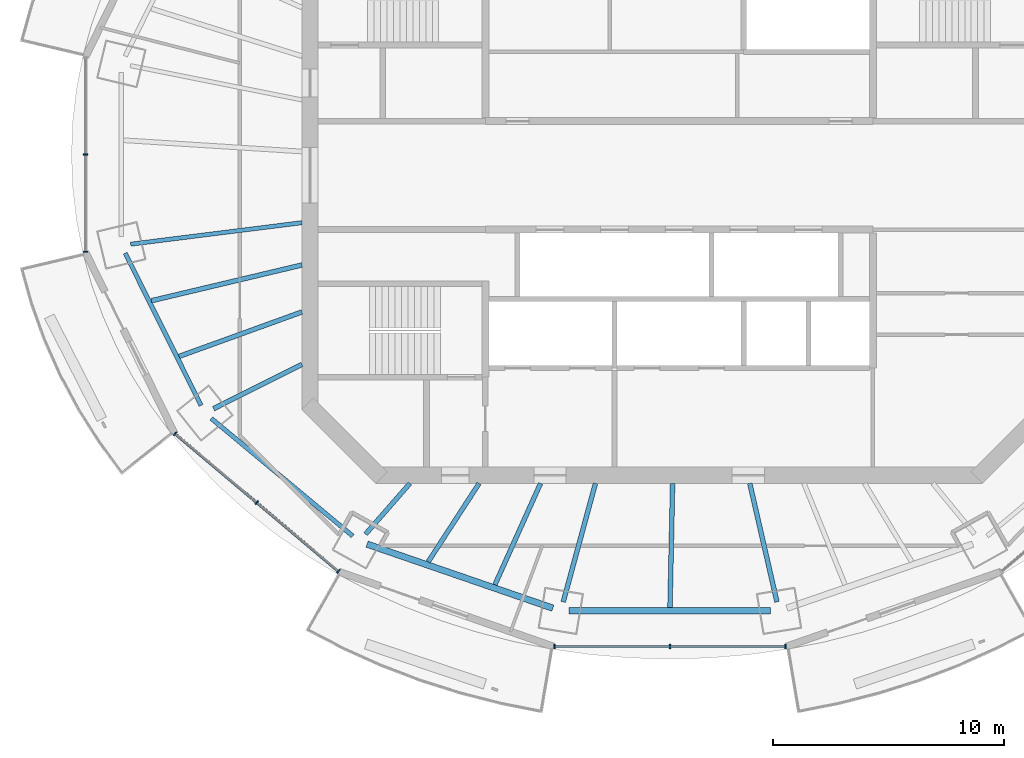
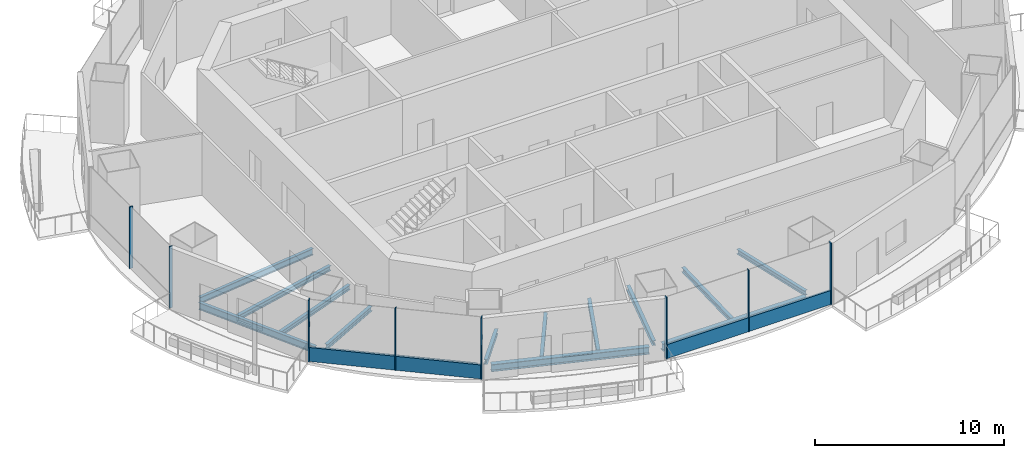
# One storey, part 2 of 16: 14 beams, 10 members, 3 elements without a shape of their own.
"""IFC4 building model written with IfcOpenShell, lengths in metres."""

from ifc_helpers import new_model, si_unit, direction, frame, origin, origin_2d, place, context, subcontext, project, spatial, rectangle, i_section, extrude, material, material_profile, profile_set, type_object, element, aggregate, save


model = new_model("IFC4")

# Units and contexts
model_context = context("Model", 3, precision=1e-05, world=origin(), true_north=direction((0.0, 1.0)))
body_context = subcontext(model_context, "Body", "Model", "MODEL_VIEW")
ifc_project = project(units=[si_unit("LENGTHUNIT", "METRE"), si_unit("AREAUNIT", "SQUARE_METRE"), si_unit("VOLUMEUNIT", "CUBIC_METRE"), si_unit("PLANEANGLEUNIT", "RADIAN"), si_unit("MASSUNIT", "GRAM", prefix="KILO")], contexts=[model_context])

# Site, building, storey
site_placement = place(None, origin())
site = spatial("IfcSite", under=ifc_project, at=site_placement, CompositionType="ELEMENT")
building_placement = place(site_placement, origin())
building = spatial("IfcBuilding", under=site, at=building_placement, Name="Marenthal Gate Tower", CompositionType="ELEMENT")
storey_placement = place(building_placement, frame((0.0, 0.0, 375.800048828125)))
storey = spatial("IfcBuildingStorey", under=building, at=storey_placement, Name="L85", CompositionType="ELEMENT", Elevation=375.800048828125)

# Curtain wall, members
ifc_material_1 = material(Name="Aluminium and glass", Category="aluminium")
curtain_wall_type = type_object("IfcCurtainWallType", Name="Curtain wall typical high", PredefinedType="NOTDEFINED", material=ifc_material_1)
curtain_wall_1_placement = place(storey_placement, origin())
curtain_wall_1 = element("IfcCurtainWall", 1, at=curtain_wall_1_placement, inside=storey, type_object=curtain_wall_type, Name="Curtain wall L85 bay 8", PredefinedType="NOTDEFINED")
ifc_material_2 = material(Name="Aluminium", Category="aluminium")
ifc_material_profile_1 = material_profile(ifc_material_2, rectangle(XDim=0.199951171875, YDim=0.06005859375, at=origin_2d()), Name="60x200 aluminium mullion")
ifc_profile_set_1 = profile_set([ifc_material_profile_1], Name="Aluminium")
member_type_1 = type_object("IfcMemberType", Name="Mullion 60x200 typical high", PredefinedType="MULLION", material=ifc_profile_set_1)
member_1_placement = place(storey_placement, frame((-25.725830078125, 0.89990234375, 0.0), z_axis=(0.0, 0.0, 1.0), x_axis=(1.0, 0.0, 0.0)))
member_1 = element("IfcMember", 2, at=member_1_placement, type_object=member_type_1, Name="Mullion L85 bay 8.2", PredefinedType="MULLION", context=body_context, shape_type="SweptSolid", body=[
    extrude(rectangle(XDim=0.199951171875, YDim=0.06005859375, at=origin_2d()), origin(), (0.0, 0.0, 1.0), 3.969970703125),
])
member_2_placement = place(storey_placement, frame((-25.725830078125, -3.312255859375, 0.0), z_axis=(0.0, 0.0, 1.0), x_axis=(1.0, 0.0, 0.0)))
member_2 = element("IfcMember", 3, at=member_2_placement, type_object=member_type_1, Name="Mullion L85 bay 8.3", PredefinedType="MULLION", context=body_context, shape_type="SweptSolid", body=[
    extrude(rectangle(XDim=0.199951171875, YDim=0.06005859375, at=origin_2d()), origin(), (0.0, 0.0, 1.0), 3.969970703125),
])
aggregate(curtain_wall_1, [member_1, member_2])

curtain_wall_2_placement = place(storey_placement, origin())
curtain_wall_2 = element("IfcCurtainWall", 4, at=curtain_wall_2_placement, inside=storey, type_object=curtain_wall_type, Name="Curtain wall L85 bay 10", PredefinedType="NOTDEFINED")
member_3_placement = place(storey_placement, frame((-21.84716796875, -11.2001953125, 0.0), z_axis=(0.0, 0.0, 1.0), x_axis=(0.64413508453, 0.764911754961, 0.0)))
member_3 = element("IfcMember", 5, at=member_3_placement, type_object=member_type_1, Name="Mullion L85 bay 10.1", PredefinedType="MULLION", context=body_context, shape_type="SweptSolid", body=[
    extrude(rectangle(XDim=0.199951171875, YDim=0.06005859375, at=origin_2d()), origin(), (0.0, 0.0, 1.0), 3.969970703125),
])
member_4_placement = place(storey_placement, frame((-18.30810546875, -14.1806640625, 0.0), z_axis=(0.0, 0.0, 1.0), x_axis=(0.64413508453, 0.764911754961, 0.0)))
member_4 = element("IfcMember", 6, at=member_4_placement, type_object=member_type_1, Name="Mullion L85 bay 10.2", PredefinedType="MULLION", context=body_context, shape_type="SweptSolid", body=[
    extrude(rectangle(XDim=0.199951171875, YDim=0.06005859375, at=origin_2d()), origin(), (0.0, 0.0, 1.0), 3.969970703125),
])
member_5_placement = place(storey_placement, frame((-14.768798828125, -17.160888671875, 0.0), z_axis=(0.0, 0.0, 1.0), x_axis=(0.64413508453, 0.764911754961, 0.0)))
member_5 = element("IfcMember", 7, at=member_5_placement, type_object=member_type_1, Name="Mullion L85 bay 10.3", PredefinedType="MULLION", context=body_context, shape_type="SweptSolid", body=[
    extrude(rectangle(XDim=0.199951171875, YDim=0.06005859375, at=origin_2d()), origin(), (0.0, 0.0, 1.0), 3.969970703125),
])

curtain_wall_3_placement = place(storey_placement, origin())
curtain_wall_3 = element("IfcCurtainWall", 8, at=curtain_wall_3_placement, inside=storey, type_object=curtain_wall_type, Name="Curtain wall L85 bay 12", PredefinedType="NOTDEFINED")
member_6_placement = place(storey_placement, frame((-5.40771484375, -20.42724609375, 0.0), z_axis=(0.0, 0.0, 1.0), x_axis=(0.0, 1.0, 0.0)))
member_6 = element("IfcMember", 9, at=member_6_placement, type_object=member_type_1, Name="Mullion L85 bay 12.1", PredefinedType="MULLION", context=body_context, shape_type="SweptSolid", body=[
    extrude(rectangle(XDim=0.199951171875, YDim=0.06005859375, at=origin_2d()), origin(), (0.0, 0.0, 1.0), 3.969970703125),
])
member_7_placement = place(storey_placement, frame((-0.39990234375, -20.42724609375, 0.0), z_axis=(0.0, 0.0, 1.0), x_axis=(0.0, 1.0, 0.0)))
member_7 = element("IfcMember", 10, at=member_7_placement, type_object=member_type_1, Name="Mullion L85 bay 12.2", PredefinedType="MULLION", context=body_context, shape_type="SweptSolid", body=[
    extrude(rectangle(XDim=0.199951171875, YDim=0.06005859375, at=origin_2d()), origin(), (0.0, 0.0, 1.0), 3.969970703125),
])
member_8_placement = place(storey_placement, frame((4.607666015625, -20.42724609375, 0.0), z_axis=(0.0, 0.0, 1.0), x_axis=(0.0, 1.0, 0.0)))
member_8 = element("IfcMember", 11, at=member_8_placement, type_object=member_type_1, Name="Mullion L85 bay 12.3", PredefinedType="MULLION", context=body_context, shape_type="SweptSolid", body=[
    extrude(rectangle(XDim=0.199951171875, YDim=0.06005859375, at=origin_2d()), origin(), (0.0, 0.0, 1.0), 3.969970703125),
])

# Member
ifc_material_3 = material(Name="Aluminium", Category="aluminium")
ifc_material_profile_2 = material_profile(ifc_material_3, rectangle(XDim=0.1201171875, YDim=0.89990234375, at=origin_2d()), Name="120x900 aluminium transom")
ifc_profile_set_2 = profile_set([ifc_material_profile_2], Name="Aluminium")
member_type_2 = type_object("IfcMemberType", Name="Transom 120x900 typical high", PredefinedType="USERDEFINED", material=ifc_profile_set_2)
member_9_placement = place(storey_placement, frame((-21.82421875, -11.219482421875, 0.449951171875), z_axis=(0.764909132267, -0.644138198972, 0.0), x_axis=(0.644138198972, 0.764909132267, 0.0)))
member_9 = element("IfcMember", 12, at=member_9_placement, type_object=member_type_2, Name="Transom L85 bay 10", ObjectType="TRANSOM", PredefinedType="USERDEFINED", context=body_context, shape_type="SweptSolid", body=[
    extrude(rectangle(XDim=0.1201171875, YDim=0.89990234375, at=origin_2d()), origin(), (0.0, 0.0, 1.0), 9.19384765625),
])

aggregate(curtain_wall_2, [member_3, member_4, member_5, member_9])

member_10_placement = place(storey_placement, frame((-5.377685546875, -20.42724609375, 0.449951171875), z_axis=(1.0, 0.0, 0.0), x_axis=(0.0, 1.0, 0.0)))
member_10 = element("IfcMember", 13, at=member_10_placement, type_object=member_type_2, Name="Transom L85 bay 12", ObjectType="TRANSOM", PredefinedType="USERDEFINED", context=body_context, shape_type="SweptSolid", body=[
    extrude(rectangle(XDim=0.1201171875, YDim=0.89990234375, at=origin_2d()), origin(), (0.0, 0.0, 1.0), 9.955322265625),
])

aggregate(curtain_wall_3, [member_6, member_7, member_8, member_10])

# Beams
ifc_material_4 = material(Name="Steel S355", Category="steel")
ifc_material_profile_3 = material_profile(ifc_material_4, i_section(OverallWidth=0.202880859375, OverallDepth=0.302001953125, WebThickness=0.007568359375, FlangeThickness=0.01318359375, FilletRadius=0.0126953125, at=origin_2d()), Name="W310X60")
ifc_profile_set_3 = profile_set([ifc_material_profile_3], Name="Steel S355")
beam_type_1 = type_object("IfcBeamType", Name="W310X60 beam", PredefinedType="BEAM", material=ifc_profile_set_3)
beam_1_placement = place(storey_placement, frame((-21.672607421875, -7.847412109375, -0.3310546875), z_axis=(0.940258470741, 0.340461463604, 0.0), x_axis=(-0.340461463604, 0.940258470741, 0.0)))
element("IfcBeam", 14, at=beam_1_placement, inside=storey, type_object=beam_type_1, Name="BM-L85-30", PredefinedType="BEAM", context=body_context, shape_type="SweptSolid", body=[
    extrude(i_section(OverallWidth=0.202880859375, OverallDepth=0.302001953125, WebThickness=0.007568359375, FlangeThickness=0.01318359375, FilletRadius=0.0126953125, at=origin_2d()), origin(), (0.0, 0.0, 1.0), 5.66064453125),
])
beam_2_placement = place(storey_placement, frame((-10.876953125, -16.749755859375, -0.3310546875), z_axis=(0.544639003867, 0.838670588173, 0.0), x_axis=(-0.838670588173, 0.544639003867, 0.0)))
element("IfcBeam", 15, at=beam_2_placement, inside=storey, type_object=beam_type_1, Name="BM-L85-31", PredefinedType="BEAM", context=body_context, shape_type="SweptSolid", body=[
    extrude(i_section(OverallWidth=0.202880859375, OverallDepth=0.302001953125, WebThickness=0.007568359375, FlangeThickness=0.01318359375, FilletRadius=0.0126953125, at=origin_2d()), origin(), (0.0, 0.0, 1.0), 4.0537109375),
])
beam_3_placement = place(storey_placement, frame((-7.98486328125, -17.74609375, -0.3310546875), z_axis=(0.410335194942, 0.911934771676, 0.0), x_axis=(-0.911934771676, 0.410335194942, 0.0)))
element("IfcBeam", 16, at=beam_3_placement, inside=storey, type_object=beam_type_1, Name="BM-L85-32", PredefinedType="BEAM", context=body_context, shape_type="SweptSolid", body=[
    extrude(i_section(OverallWidth=0.202880859375, OverallDepth=0.302001953125, WebThickness=0.007568359375, FlangeThickness=0.01318359375, FilletRadius=0.0126953125, at=origin_2d()), origin(), (0.0, 0.0, 1.0), 4.820556640625),
])
beam_4_placement = place(storey_placement, frame((-0.39697265625, -18.738037109375, -0.3310546875), z_axis=(0.021156168271, 0.999776183225, 0.0), x_axis=(-0.999776183225, 0.021156168271, 0.0)))
element("IfcBeam", 17, at=beam_4_placement, inside=storey, type_object=beam_type_1, Name="BM-L85-33", PredefinedType="BEAM", context=body_context, shape_type="SweptSolid", body=[
    extrude(i_section(OverallWidth=0.202880859375, OverallDepth=0.302001953125, WebThickness=0.007568359375, FlangeThickness=0.01318359375, FilletRadius=0.0126953125, at=origin_2d()), origin(), (0.0, 0.0, 1.0), 5.38916015625),
])
ifc_material_5 = material(Name="Steel S355", Category="steel")
ifc_material_profile_4 = material_profile(ifc_material_5, i_section(OverallWidth=0.205078125, OverallDepth=0.31005859375, WebThickness=0.009521484375, FlangeThickness=0.016357421875, FilletRadius=0.0126953125, at=origin_2d()), Name="W310X74")
ifc_profile_set_4 = profile_set([ifc_material_profile_4], Name="Steel S355")
beam_type_2 = type_object("IfcBeamType", Name="W310X74 beam", PredefinedType="BEAM", material=ifc_profile_set_4)
beam_5_placement = place(storey_placement, frame((-20.180419921875, -10.114501953125, -0.3349609375), z_axis=(0.894005119758, 0.448056744003, 0.0), x_axis=(-0.448056744003, 0.894005119758, 0.0)))
element("IfcBeam", 18, at=beam_5_placement, inside=storey, type_object=beam_type_2, Name="BM-L85-10", PredefinedType="BEAM", context=body_context, shape_type="SweptSolid", body=[
    extrude(i_section(OverallWidth=0.205078125, OverallDepth=0.31005859375, WebThickness=0.009521484375, FlangeThickness=0.016357421875, FilletRadius=0.0126953125, at=origin_2d()), origin(), (0.0, 0.0, 1.0), 4.284423828125),
])
beam_6_placement = place(storey_placement, frame((-13.59130859375, -15.550048828125, -0.3349609375), z_axis=(0.658096337895, 0.752933735497, 0.0), x_axis=(-0.752933735497, 0.658096337895, 0.0)))
element("IfcBeam", 19, at=beam_6_placement, inside=storey, type_object=beam_type_2, Name="BM-L85-11", PredefinedType="BEAM", context=body_context, shape_type="SweptSolid", body=[
    extrude(i_section(OverallWidth=0.205078125, OverallDepth=0.31005859375, WebThickness=0.009521484375, FlangeThickness=0.016357421875, FilletRadius=0.0126953125, at=origin_2d()), origin(), (0.0, 0.0, 1.0), 2.921875),
])
beam_7_placement = place(storey_placement, frame((-5.023193359375, -18.487060546875, -0.3349609375), z_axis=(0.262201429118, 0.965013166008, 0.0), x_axis=(-0.965013166008, 0.262201429118, 0.0)))
element("IfcBeam", 20, at=beam_7_placement, inside=storey, type_object=beam_type_2, Name="BM-L85-12", PredefinedType="BEAM", context=body_context, shape_type="SweptSolid", body=[
    extrude(i_section(OverallWidth=0.205078125, OverallDepth=0.31005859375, WebThickness=0.009521484375, FlangeThickness=0.016357421875, FilletRadius=0.0126953125, at=origin_2d()), origin(), (0.0, 0.0, 1.0), 5.3232421875),
])
beam_8_placement = place(storey_placement, frame((4.239501953125, -18.48583984375, -0.3349609375), z_axis=(-0.223519228241, 0.974699520163, 0.0), x_axis=(-0.974699520163, -0.223519228241, 0.0)))
element("IfcBeam", 21, at=beam_8_placement, inside=storey, type_object=beam_type_2, Name="BM-L85-13", PredefinedType="BEAM", context=body_context, shape_type="SweptSolid", body=[
    extrude(i_section(OverallWidth=0.205078125, OverallDepth=0.31005859375, WebThickness=0.009521484375, FlangeThickness=0.016357421875, FilletRadius=0.0126953125, at=origin_2d()), origin(), (0.0, 0.0, 1.0), 5.26904296875),
])
beam_9_placement = place(storey_placement, frame((-22.874267578125, -5.434326171875, -0.3349609375), z_axis=(0.972926011312, 0.231116802747, 0.0), x_axis=(-0.231116802747, 0.972926011312, 0.0)))
element("IfcBeam", 22, at=beam_9_placement, inside=storey, type_object=beam_type_2, Name="BM-L85-29", PredefinedType="BEAM", context=body_context, shape_type="SweptSolid", body=[
    extrude(i_section(OverallWidth=0.205078125, OverallDepth=0.31005859375, WebThickness=0.009521484375, FlangeThickness=0.016357421875, FilletRadius=0.0126953125, at=origin_2d()), origin(), (0.0, 0.0, 1.0), 6.705810546875),
])
ifc_material_6 = material(Name="Steel S355", Category="steel")
ifc_material_profile_5 = material_profile(ifc_material_6, i_section(OverallWidth=0.180908203125, OverallDepth=0.4169921875, WebThickness=0.010986328125, FlangeThickness=0.018310546875, FilletRadius=0.01025390625, at=origin_2d()), Name="W410X85")
ifc_profile_set_5 = profile_set([ifc_material_profile_5], Name="Steel S355")
beam_type_3 = type_object("IfcBeamType", Name="W410X85 beam", PredefinedType="BEAM", material=ifc_profile_set_5)
beam_10_placement = place(storey_placement, frame((-23.77392578125, -2.9833984375, -0.388427734375), z_axis=(0.992217519414, 0.124516642136, 0.0), x_axis=(-0.124516642136, 0.992217519414, 0.0)))
element("IfcBeam", 23, at=beam_10_placement, inside=storey, type_object=beam_type_3, Name="BM-L85-09", PredefinedType="BEAM", context=body_context, shape_type="SweptSolid", body=[
    extrude(i_section(OverallWidth=0.180908203125, OverallDepth=0.4169921875, WebThickness=0.010986328125, FlangeThickness=0.018310546875, FilletRadius=0.01025390625, at=origin_2d()), origin(), (0.0, 0.0, 1.0), 7.482177734375),
])
ifc_material_7 = material(Name="Steel S355", Category="steel")
ifc_material_profile_6 = material_profile(ifc_material_7, i_section(OverallWidth=0.279052734375, OverallDepth=0.4619140625, WebThickness=0.0107421875, FlangeThickness=0.017333984375, FilletRadius=0.010009765625, at=origin_2d()), Name="W460X113")
ifc_profile_set_6 = profile_set([ifc_material_profile_6], Name="Steel S355")
beam_type_4 = type_object("IfcBeamType", Name="W460X113 beam", PredefinedType="BEAM", material=ifc_profile_set_6)
beam_11_placement = place(storey_placement, frame((-13.524658203125, -15.98486328125, -0.4111328125), z_axis=(0.945453672433, -0.325756585939, 0.0), x_axis=(0.325756585939, 0.945453672433, 0.0)))
element("IfcBeam", 24, at=beam_11_placement, inside=storey, type_object=beam_type_4, Name="BM-L85-49", PredefinedType="BEAM", context=body_context, shape_type="SweptSolid", body=[
    extrude(i_section(OverallWidth=0.279052734375, OverallDepth=0.4619140625, WebThickness=0.0107421875, FlangeThickness=0.017333984375, FilletRadius=0.010009765625, at=origin_2d()), origin(), (0.0, 0.0, 1.0), 8.517578125),
])
beam_12_placement = place(storey_placement, frame((-4.767822265625, -18.87744140625, -0.4111328125), z_axis=(1.0, 0.0, 0.0), x_axis=(0.0, 1.0, 0.0)))
element("IfcBeam", 25, at=beam_12_placement, inside=storey, type_object=beam_type_4, Name="BM-L85-50", PredefinedType="BEAM", context=body_context, shape_type="SweptSolid", body=[
    extrude(i_section(OverallWidth=0.279052734375, OverallDepth=0.4619140625, WebThickness=0.0107421875, FlangeThickness=0.017333984375, FilletRadius=0.010009765625, at=origin_2d()), origin(), (0.0, 0.0, 1.0), 8.735595703125),
])
ifc_material_8 = material(Name="Steel S355", Category="steel")
ifc_material_profile_7 = material_profile(ifc_material_8, i_section(OverallWidth=0.19091796875, OverallDepth=0.45703125, WebThickness=0.009033203125, FlangeThickness=0.014404296875, FilletRadius=0.01025390625, at=origin_2d()), Name="W460X74")
ifc_profile_set_7 = profile_set([ifc_material_profile_7], Name="Steel S355")
beam_type_5 = type_object("IfcBeamType", Name="W460X74 beam", PredefinedType="BEAM", material=ifc_profile_set_7)
beam_13_placement = place(storey_placement, frame((-24.01025390625, -3.367431640625, -0.408447265625), z_axis=(0.445757037606, -0.895153988666, 0.0), x_axis=(0.895153988666, 0.445757037606, 0.0)))
element("IfcBeam", 26, at=beam_13_placement, inside=storey, type_object=beam_type_5, Name="BM-L85-47", PredefinedType="BEAM", context=body_context, shape_type="SweptSolid", body=[
    extrude(i_section(OverallWidth=0.19091796875, OverallDepth=0.45703125, WebThickness=0.009033203125, FlangeThickness=0.014404296875, FilletRadius=0.01025390625, at=origin_2d()), origin(), (0.0, 0.0, 1.0), 7.3779296875),
])
beam_14_placement = place(storey_placement, frame((-20.274169921875, -10.5380859375, -0.408447265625), z_axis=(0.76879863702, -0.639490934819, 0.0), x_axis=(0.639490934819, 0.76879863702, 0.0)))
element("IfcBeam", 27, at=beam_14_placement, inside=storey, type_object=beam_type_5, Name="BM-L85-48", PredefinedType="BEAM", context=body_context, shape_type="SweptSolid", body=[
    extrude(i_section(OverallWidth=0.19091796875, OverallDepth=0.45703125, WebThickness=0.009033203125, FlangeThickness=0.014404296875, FilletRadius=0.01025390625, at=origin_2d()), origin(), (0.0, 0.0, 1.0), 7.967529296875),
])

save(model, "model.ifc")
